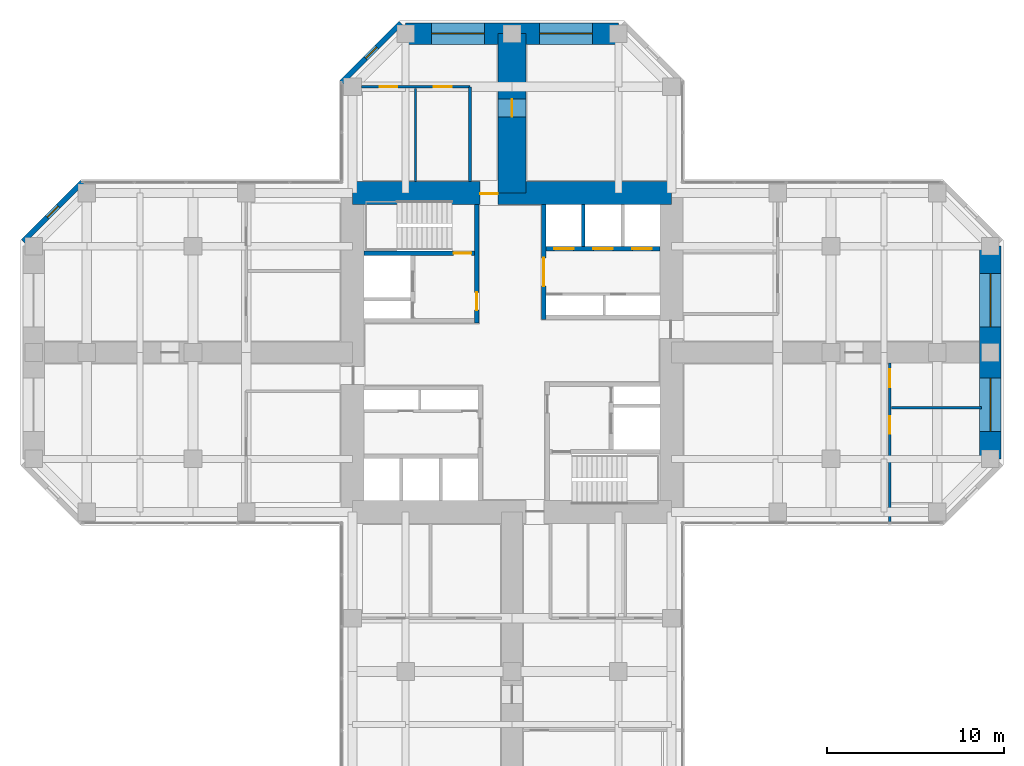
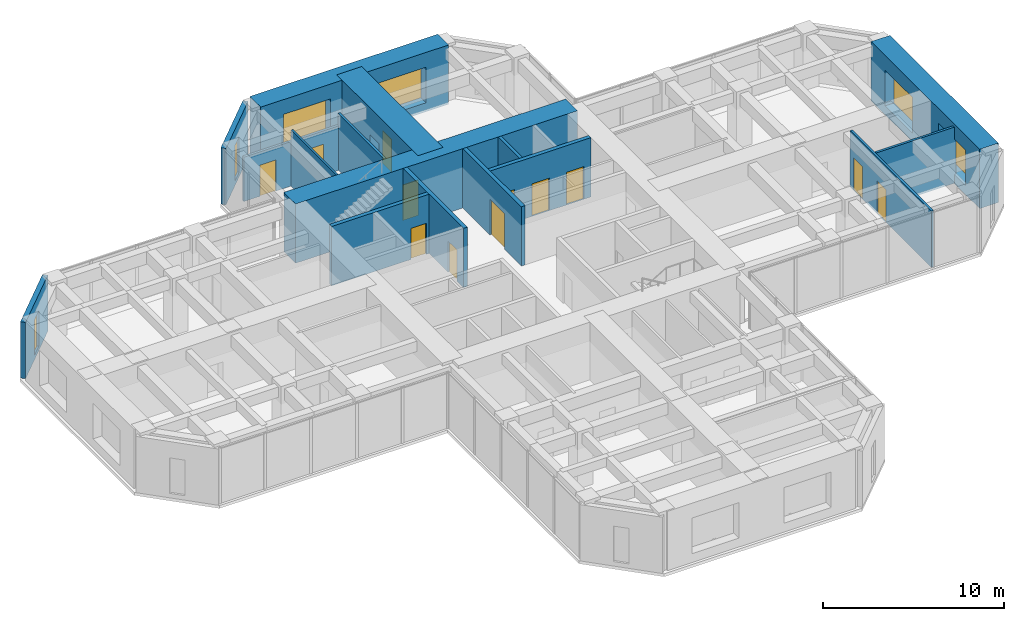
# One storey, part 10 of 12: 16 walls, 12 doors, 6 windows, 18 openings.
"""IFC4 building model written with IfcOpenShell, lengths in metres."""

from ifc_helpers import new_model, si_unit, direction, frame, frame_2d, origin, place, context, subcontext, project, spatial, rectangle, hollow_rectangle, extrude, material, layer, layer_set, constituent, constituent_set, type_object, element, fill, save


model = new_model("IFC4")

# Units and contexts
model_context = context("Model", 3, precision=1e-05, world=origin(), true_north=direction((0.0, 1.0)))
body_context = subcontext(model_context, "Body", "Model", "MODEL_VIEW")
ifc_project = project(units=[si_unit("LENGTHUNIT", "METRE"), si_unit("AREAUNIT", "SQUARE_METRE"), si_unit("VOLUMEUNIT", "CUBIC_METRE"), si_unit("PLANEANGLEUNIT", "RADIAN"), si_unit("MASSUNIT", "GRAM", prefix="KILO")], contexts=[model_context])

# Site, building, storey
site_placement = place(None, origin())
site = spatial("IfcSite", under=ifc_project, at=site_placement, CompositionType="ELEMENT")
building_placement = place(site_placement, origin())
building = spatial("IfcBuilding", under=site, at=building_placement, Name="Torre Cruceta", CompositionType="ELEMENT")
storey_placement = place(building_placement, frame((0.0, 0.0, 116.5)))
storey = spatial("IfcBuildingStorey", under=building, at=storey_placement, Name="L28", CompositionType="ELEMENT", Elevation=116.5)

# Wall, opening, door
ifc_material_1 = material(Name="Concrete G60 (fck 60 MPa)", Category="concrete")
ifc_layer_1 = layer(ifc_material_1, 0.25)
ifc_layer_set_1 = layer_set([ifc_layer_1], Name="Concrete G60 (fck 60 MPa)")
wall_type_1 = type_object("IfcWallType", Name="CORE INNER WALL 250 G60", PredefinedType="SHEAR", material=ifc_layer_set_1)
wall_1_placement = place(storey_placement, frame((1.800048828125, 1.875, 0.0), z_axis=(0.0, 0.0, 1.0), x_axis=(0.0, 1.0, 0.0)))
wall_1 = element("IfcWall", 1, at=wall_1_placement, inside=storey, type_object=wall_type_1, Name="CW4 L28 NE-CU", PredefinedType="SHEAR", context=body_context, shape_type="SweptSolid", body=[
    extrude(rectangle(XDim=6.47509765625, YDim=0.25, at=frame_2d((3.237548828125, 0.0))), origin(), (0.0, 0.0, 1.0), 4.0),
])
opening_1_placement = place(wall_1_placement, frame((1.875, 0.0, 0.0)))
opening_1 = element("IfcOpeningElement", 2, at=opening_1_placement, cuts=wall_1, Name="Opening D8", PredefinedType="OPENING", context=body_context, shape_type="SweptSolid", body=[
    extrude(rectangle(XDim=1.60009765625, YDim=2.39990234375, at=frame_2d((0.800048828125, 1.199951171875))), frame((0.0, 0.135009765625, 0.0), z_axis=(0.0, -1.0, 0.0), x_axis=(1.0, 0.0, 0.0)), (0.0, 0.0, 1.0), 0.27001953125),
])
ifc_material_2 = material(Name="Steel DX51D", Category="steel")
ifc_constituent_1 = constituent(ifc_material_2, Name="Leaf and frame")
ifc_material_3 = material(Name="Polyester powder coating", Category="paint")
ifc_constituent_2 = constituent(ifc_material_3, Name="Finish")
ifc_material_4 = material(Name="Fire-resisting glass", Category="glass")
ifc_constituent_3 = constituent(ifc_material_4, Name="Vision panel")
ifc_constituent_set_1 = constituent_set(constituents=[ifc_constituent_1, ifc_constituent_2, ifc_constituent_3], Name="Steel fire door with vision panels")
door_type_1 = type_object("IfcDoorType", Name="LIFT LOBBY DOUBLE DOOR 1600X2400", OperationType="DOUBLE_DOOR_DOUBLE_SWING", PredefinedType="DOOR", material=ifc_constituent_set_1)
door_1_placement = place(opening_1_placement, origin())
door_1 = element("IfcDoor", 3, at=door_1_placement, inside=storey, type_object=door_type_1, Name="D8 L28 NE-LOBBY", OperationType="DOUBLE_DOOR_DOUBLE_SWING", OverallHeight=2.39990234375, OverallWidth=1.60009765625, PredefinedType="DOOR", context=body_context, shape_type="SweptSolid", body=[
    extrude(rectangle(XDim=1.60009765625, YDim=2.39990234375, at=frame_2d((0.800048828125, 1.199951171875))), frame((0.0, 0.02490234375, 0.0), z_axis=(0.0, -1.0, 0.0), x_axis=(1.0, 0.0, 0.0)), (0.0, 0.0, 1.0), 0.050048828125),
])
fill(opening_1, door_1)

# Wall, openings, doors
wall_2_placement = place(storey_placement, frame((1.925048828125, 5.85009765625, 0.0), z_axis=(0.0, 0.0, 1.0), x_axis=(1.0, 0.0, 0.0)))
wall_2 = element("IfcWall", 4, at=wall_2_placement, inside=storey, type_object=wall_type_1, Name="CW4 L28 NE-LV", PredefinedType="SHEAR", context=body_context, shape_type="SweptSolid", body=[
    extrude(rectangle(XDim=6.425048828125, YDim=0.25, at=frame_2d((3.21240234375, 0.0))), origin(), (0.0, 0.0, 1.0), 4.0),
])
opening_2_placement = place(wall_2_placement, frame((0.4541015625, 0.0, 0.0)))
opening_2 = element("IfcOpeningElement", 5, at=opening_2_placement, cuts=wall_2, Name="Opening LD1", PredefinedType="OPENING", context=body_context, shape_type="SweptSolid", body=[
    extrude(rectangle(XDim=1.10009765625, YDim=2.199951171875, at=frame_2d((0.550048828125, 1.10009765625))), frame((0.0, 0.135009765625, 0.0), z_axis=(0.0, -1.0, 0.0), x_axis=(1.0, 0.0, 0.0)), (0.0, 0.0, 1.0), 0.27001953125),
])
opening_3_placement = place(wall_2_placement, frame((2.66259765625, 0.0, 0.0)))
opening_3 = element("IfcOpeningElement", 6, at=opening_3_placement, cuts=wall_2, Name="Opening LD1", PredefinedType="OPENING", context=body_context, shape_type="SweptSolid", body=[
    extrude(rectangle(XDim=1.10009765625, YDim=2.199951171875, at=frame_2d((0.550048828125, 1.10009765625))), frame((0.0, 0.135009765625, 0.0), z_axis=(0.0, -1.0, 0.0), x_axis=(1.0, 0.0, 0.0)), (0.0, 0.0, 1.0), 0.27001953125),
])
opening_4_placement = place(wall_2_placement, frame((4.870849609375, 0.0, 0.0)))
opening_4 = element("IfcOpeningElement", 7, at=opening_4_placement, cuts=wall_2, Name="Opening LD1", PredefinedType="OPENING", context=body_context, shape_type="SweptSolid", body=[
    extrude(rectangle(XDim=1.10009765625, YDim=2.199951171875, at=frame_2d((0.550048828125, 1.10009765625))), frame((0.0, 0.135009765625, 0.0), z_axis=(0.0, -1.0, 0.0), x_axis=(1.0, 0.0, 0.0)), (0.0, 0.0, 1.0), 0.27001953125),
])
ifc_material_5 = material(Name="Stainless steel 1.4401", Category="steel")
door_type_2 = type_object("IfcDoorType", Name="LIFT LANDING DOOR 1100X2200", OperationType="DOUBLE_DOOR_SLIDING", PredefinedType="DOOR", material=ifc_material_5)
door_2_placement = place(opening_2_placement, origin())
door_2 = element("IfcDoor", 8, at=door_2_placement, inside=storey, type_object=door_type_2, Name="Lift landing door P1", OperationType="DOUBLE_DOOR_SLIDING", OverallHeight=2.199951171875, OverallWidth=1.10009765625, PredefinedType="DOOR", context=body_context, shape_type="SweptSolid", body=[
    extrude(rectangle(XDim=1.10009765625, YDim=2.199951171875, at=frame_2d((0.550048828125, 1.10009765625))), frame((0.0, 0.02490234375, 0.0), z_axis=(0.0, -1.0, 0.0), x_axis=(1.0, 0.0, 0.0)), (0.0, 0.0, 1.0), 0.050048828125),
])
fill(opening_2, door_2)
door_3_placement = place(opening_3_placement, origin())
door_3 = element("IfcDoor", 9, at=door_3_placement, inside=storey, type_object=door_type_2, Name="Lift landing door P2", OperationType="DOUBLE_DOOR_SLIDING", OverallHeight=2.199951171875, OverallWidth=1.10009765625, PredefinedType="DOOR", context=body_context, shape_type="SweptSolid", body=[
    extrude(rectangle(XDim=1.10009765625, YDim=2.199951171875, at=frame_2d((0.550048828125, 1.10009765625))), frame((0.0, 0.02490234375, 0.0), z_axis=(0.0, -1.0, 0.0), x_axis=(1.0, 0.0, 0.0)), (0.0, 0.0, 1.0), 0.050048828125),
])
fill(opening_3, door_3)
door_4_placement = place(opening_4_placement, origin())
door_4 = element("IfcDoor", 10, at=door_4_placement, inside=storey, type_object=door_type_2, Name="Lift landing door P3", OperationType="DOUBLE_DOOR_SLIDING", OverallHeight=2.199951171875, OverallWidth=1.10009765625, PredefinedType="DOOR", context=body_context, shape_type="SweptSolid", body=[
    extrude(rectangle(XDim=1.10009765625, YDim=2.199951171875, at=frame_2d((0.550048828125, 1.10009765625))), frame((0.0, 0.02490234375, 0.0), z_axis=(0.0, -1.0, 0.0), x_axis=(1.0, 0.0, 0.0)), (0.0, 0.0, 1.0), 0.050048828125),
])
fill(opening_4, door_4)

# Wall, opening, door
wall_3_placement = place(storey_placement, frame((-2.0, 1.675048828125, 0.0), z_axis=(0.0, 0.0, 1.0), x_axis=(0.0, 1.0, 0.0)))
wall_3 = element("IfcWall", 11, at=wall_3_placement, inside=storey, type_object=wall_type_1, Name="CW4 L28 NW-CU", PredefinedType="SHEAR", context=body_context, shape_type="SweptSolid", body=[
    extrude(rectangle(XDim=6.675048828125, YDim=0.25, at=frame_2d((3.33740234375, 0.0))), origin(), (0.0, 0.0, 1.0), 4.0),
])
opening_5_placement = place(wall_3_placement, frame((0.72509765625, 0.0, 0.0)))
opening_5 = element("IfcOpeningElement", 12, at=opening_5_placement, cuts=wall_3, Name="Opening D3", PredefinedType="OPENING", context=body_context, shape_type="SweptSolid", body=[
    extrude(rectangle(XDim=1.0, YDim=2.10009765625, at=frame_2d((0.5, 1.050048828125))), frame((0.0, 0.135009765625, 0.0), z_axis=(0.0, -1.0, 0.0), x_axis=(1.0, 0.0, 0.0)), (0.0, 0.0, 1.0), 0.27001953125),
])
ifc_material_6 = material(Name="Steel DX51D", Category="steel")
ifc_constituent_4 = constituent(ifc_material_6, Name="Leaf and frame")
ifc_material_7 = material(Name="Polyester powder coating", Category="paint")
ifc_constituent_5 = constituent(ifc_material_7, Name="Finish")
ifc_constituent_set_2 = constituent_set(constituents=[ifc_constituent_4, ifc_constituent_5], Name="Steel fire door")
door_type_3 = type_object("IfcDoorType", Name="FIRE DOOR 1000X2100", OperationType="SINGLE_SWING_LEFT", PredefinedType="DOOR", material=ifc_constituent_set_2)
door_5_placement = place(opening_5_placement, origin())
door_5 = element("IfcDoor", 13, at=door_5_placement, inside=storey, type_object=door_type_3, Name="D3 L28 NW-LOBBY", OperationType="SINGLE_SWING_LEFT", OverallHeight=2.10009765625, OverallWidth=1.0, PredefinedType="DOOR", context=body_context, shape_type="SweptSolid", body=[
    extrude(rectangle(XDim=1.0, YDim=2.10009765625, at=frame_2d((0.5, 1.050048828125))), frame((0.0, 0.02490234375, 0.0), z_axis=(0.0, -1.0, 0.0), x_axis=(1.0, 0.0, 0.0)), (0.0, 0.0, 1.0), 0.050048828125),
])
fill(opening_5, door_5)

wall_4_placement = place(storey_placement, frame((-2.125, 5.60009765625, 0.0), z_axis=(0.0, 0.0, 1.0), x_axis=(-1.0, 0.0, 0.0)))
wall_4 = element("IfcWall", 14, at=wall_4_placement, inside=storey, type_object=wall_type_1, Name="CW4 L28 NW-SV", PredefinedType="SHEAR", context=body_context, shape_type="SweptSolid", body=[
    extrude(rectangle(XDim=6.22509765625, YDim=0.25, at=frame_2d((3.112548828125, 0.0))), origin(), (0.0, 0.0, 1.0), 4.0),
])
opening_6_placement = place(wall_4_placement, frame((0.175048828125, 0.0, 0.0)))
opening_6 = element("IfcOpeningElement", 15, at=opening_6_placement, cuts=wall_4, Name="Opening D3", PredefinedType="OPENING", context=body_context, shape_type="SweptSolid", body=[
    extrude(rectangle(XDim=1.0, YDim=2.10009765625, at=frame_2d((0.5, 1.050048828125))), frame((0.0, 0.135009765625, 0.0), z_axis=(0.0, -1.0, 0.0), x_axis=(1.0, 0.0, 0.0)), (0.0, 0.0, 1.0), 0.27001953125),
])
door_6_placement = place(opening_6_placement, frame((1.0, 0.0, 0.0), z_axis=(0.0, 0.0, 1.0), x_axis=(-1.0, 0.0, 0.0)))
door_6 = element("IfcDoor", 16, at=door_6_placement, inside=storey, type_object=door_type_3, Name="D3 L28 NW-STAIR", OperationType="SINGLE_SWING_RIGHT", OverallHeight=2.10009765625, OverallWidth=1.0, PredefinedType="DOOR", context=body_context, shape_type="SweptSolid", body=[
    extrude(rectangle(XDim=1.0, YDim=2.10009765625, at=frame_2d((0.5, 1.050048828125))), frame((0.0, 0.025146484375, 0.0), z_axis=(0.0, -1.0, 0.0), x_axis=(1.0, 0.0, 0.0)), (0.0, 0.0, 1.0), 0.050048828125),
])
fill(opening_6, door_6)

ifc_material_8 = material(Name="Concrete G60 (fck 60 MPa)", Category="concrete")
ifc_layer_2 = layer(ifc_material_8, 1.300048828125)
ifc_layer_set_2 = layer_set([ifc_layer_2], Name="Concrete G60 (fck 60 MPa)")
wall_type_2 = type_object("IfcWallType", Name="CORE WALL 1300 G60", PredefinedType="SHEAR", material=ifc_layer_set_2)
wall_5_placement = place(storey_placement, frame((9.0, 9.0, 0.0), z_axis=(0.0, 0.0, 1.0), x_axis=(-1.0, 0.0, 0.0)))
wall_5 = element("IfcWall", 17, at=wall_5_placement, inside=storey, type_object=wall_type_2, Name="CW1 L28 CW-N", PredefinedType="SHEAR", context=body_context, shape_type="SweptSolid", body=[
    extrude(rectangle(XDim=18.0, YDim=1.300048828125, at=frame_2d((9.0, 0.0))), origin(), (0.0, 0.0, 1.0), 4.0),
])
opening_7_placement = place(wall_5_placement, frame((9.800048828125, 0.0, 0.0)))
opening_7 = element("IfcOpeningElement", 18, at=opening_7_placement, cuts=wall_5, Name="Opening D4", PredefinedType="OPENING", context=body_context, shape_type="SweptSolid", body=[
    extrude(rectangle(XDim=1.0, YDim=2.39990234375, at=frame_2d((0.5, 1.199951171875))), frame((0.0, 0.659912109375, 0.0), z_axis=(0.0, -1.0, 0.0), x_axis=(1.0, 0.0, 0.0)), (0.0, 0.0, 1.0), 1.320068359375),
])
ifc_material_9 = material(Name="Steel DX51D", Category="steel")
ifc_constituent_6 = constituent(ifc_material_9, Name="Leaf and frame")
ifc_material_10 = material(Name="Polyester powder coating", Category="paint")
ifc_constituent_7 = constituent(ifc_material_10, Name="Finish")
ifc_constituent_set_3 = constituent_set(constituents=[ifc_constituent_6, ifc_constituent_7], Name="Steel fire door")
door_type_4 = type_object("IfcDoorType", Name="CORE ARM DOOR 1000X2400", OperationType="SINGLE_SWING_RIGHT", PredefinedType="DOOR", material=ifc_constituent_set_3)
door_7_placement = place(opening_7_placement, frame((1.0, 0.0, 0.0), z_axis=(0.0, 0.0, 1.0), x_axis=(-1.0, 0.0, 0.0)))
door_7 = element("IfcDoor", 19, at=door_7_placement, inside=storey, type_object=door_type_4, Name="D4 L28 CW-N", OperationType="SINGLE_SWING_RIGHT", OverallHeight=2.39990234375, OverallWidth=1.0, PredefinedType="DOOR", context=body_context, shape_type="SweptSolid", body=[
    extrude(rectangle(XDim=1.0, YDim=2.39990234375, at=frame_2d((0.5, 1.199951171875))), frame((0.0, -0.005126953125, 0.0), z_axis=(0.0, -1.0, 0.0), x_axis=(1.0, 0.0, 0.0)), (0.0, 0.0, 1.0), 0.050048828125),
])
fill(opening_7, door_7)

# Wall, opening, window
ifc_material_11 = material(Name="Concrete G30 (fck 30 MPa)", Category="concrete")
ifc_layer_3 = layer(ifc_material_11, 0.300048828125)
ifc_layer_set_3 = layer_set([ifc_layer_3], Name="Concrete G30 (fck 30 MPa)")
wall_type_3 = type_object("IfcWallType", Name="EXPOSED CONCRETE FACADE WALL 300", PredefinedType="SOLIDWALL", material=ifc_layer_set_3)
wall_6_placement = place(storey_placement, frame((-6.27685546875, 18.60009765625, 0.0), z_axis=(0.0, 0.0, 1.0), x_axis=(-0.707106781187, -0.707106781187, 0.0)))
wall_6 = element("IfcWall", 20, at=wall_6_placement, inside=storey, type_object=wall_type_3, Name="EW1 facade wall L28 N chamfer 08", PredefinedType="SOLIDWALL", context=body_context, shape_type="SweptSolid", body=[
    extrude(rectangle(XDim=4.72802734375, YDim=0.300048828125, at=frame_2d((2.364013671875, 0.0))), origin(), (0.0, 0.0, 1.0), 3.800048828125),
])
opening_8_placement = place(wall_6_placement, frame((1.9140625, 0.0, 0.300048828125)))
opening_8 = element("IfcOpeningElement", 21, at=opening_8_placement, cuts=wall_6, Name="Opening WN5", PredefinedType="OPENING", context=body_context, shape_type="SweptSolid", body=[
    extrude(rectangle(XDim=0.89990234375, YDim=2.39990234375, at=frame_2d((0.449951171875, 1.199951171875))), frame((0.0, 0.159912109375, 0.0), z_axis=(0.0, -1.0, 0.0), x_axis=(1.0, 0.0, 0.0)), (0.0, 0.0, 1.0), 0.320068359375),
])
ifc_material_12 = material(Name="Aluminium window frame", Category="aluminium")
ifc_constituent_8 = constituent(ifc_material_12, Name="Frame")
ifc_material_13 = material(Name="Laminated insulating glass unit, low-iron clear", Category="glass")
ifc_constituent_9 = constituent(ifc_material_13, Name="Glazing")
ifc_constituent_set_4 = constituent_set(constituents=[ifc_constituent_8, ifc_constituent_9], Name="Aluminium window")
window_type_1 = type_object("IfcWindowType", Name="CHAMFER SLOT WINDOW 900X2400", PartitioningType="SINGLE_PANEL", PredefinedType="WINDOW", material=ifc_constituent_set_4)
window_1_placement = place(opening_8_placement, origin())
window_1 = element("IfcWindow", 22, at=window_1_placement, inside=storey, type_object=window_type_1, Name="WN5 L28 N 1", OverallHeight=2.39990234375, OverallWidth=0.89990234375, PartitioningType="SINGLE_PANEL", PredefinedType="WINDOW", context=body_context, shape_type="SweptSolid", body=[
    extrude(hollow_rectangle(XDim=0.89990234375, YDim=2.39990234375, WallThickness=0.06005859375, at=frame_2d((0.449951171875, 1.199951171875))), frame((0.0, 0.030029296875, 0.0), z_axis=(0.0, -1.0, 0.0), x_axis=(1.0, 0.0, 0.0)), (0.0, 0.0, 1.0), 0.06005859375),
    extrude(rectangle(XDim=0.77880859375, YDim=2.27880859375, at=frame_2d((0.449951171875, 1.199951171875))), frame((0.0, 0.030029296875, 0.0), z_axis=(0.0, -1.0, 0.0), x_axis=(1.0, 0.0, 0.0)), (0.0, 0.0, 1.0), 0.06005859375),
])
fill(opening_8, window_1)

wall_7_placement = place(storey_placement, frame((-24.2568359375, 9.6201171875, 0.0), z_axis=(0.0, 0.0, 1.0), x_axis=(-0.707106781187, -0.707106781187, 0.0)))
wall_7 = element("IfcWall", 23, at=wall_7_placement, inside=storey, type_object=wall_type_3, Name="EW1 facade wall L28 W chamfer 11", PredefinedType="SOLIDWALL", context=body_context, shape_type="SweptSolid", body=[
    extrude(rectangle(XDim=4.72802734375, YDim=0.300048828125, at=frame_2d((2.364013671875, 0.0))), origin(), (0.0, 0.0, 1.0), 3.800048828125),
])
opening_9_placement = place(wall_7_placement, frame((1.9140625, 0.0, 0.300048828125)))
opening_9 = element("IfcOpeningElement", 24, at=opening_9_placement, cuts=wall_7, Name="Opening WN5", PredefinedType="OPENING", context=body_context, shape_type="SweptSolid", body=[
    extrude(rectangle(XDim=0.89990234375, YDim=2.39990234375, at=frame_2d((0.449951171875, 1.199951171875))), frame((0.0, 0.159912109375, 0.0), z_axis=(0.0, -1.0, 0.0), x_axis=(1.0, 0.0, 0.0)), (0.0, 0.0, 1.0), 0.320068359375),
])
window_2_placement = place(opening_9_placement, origin())
window_2 = element("IfcWindow", 25, at=window_2_placement, inside=storey, type_object=window_type_1, Name="WN5 L28 W 1", OverallHeight=2.39990234375, OverallWidth=0.89990234375, PartitioningType="SINGLE_PANEL", PredefinedType="WINDOW", context=body_context, shape_type="SweptSolid", body=[
    extrude(hollow_rectangle(XDim=0.89990234375, YDim=2.39990234375, WallThickness=0.06005859375, at=frame_2d((0.449951171875, 1.199951171875))), frame((0.0, 0.030029296875, 0.0), z_axis=(0.0, -1.0, 0.0), x_axis=(1.0, 0.0, 0.0)), (0.0, 0.0, 1.0), 0.06005859375),
    extrude(rectangle(XDim=0.77880859375, YDim=2.27880859375, at=frame_2d((0.449951171875, 1.199951171875))), frame((0.0, 0.030029296875, 0.0), z_axis=(0.0, -1.0, 0.0), x_axis=(1.0, 0.0, 0.0)), (0.0, 0.0, 1.0), 0.06005859375),
])
fill(opening_9, window_2)

# Wall
ifc_material_14 = material(Name="Concrete G35 (fck 35 MPa)", Category="concrete")
ifc_layer_4 = layer(ifc_material_14, 0.199951171875)
ifc_layer_set_4 = layer_set([ifc_layer_4], Name="Concrete G35 (fck 35 MPa)")
wall_type_4 = type_object("IfcWallType", Name="LIFT SHAFT WALL 200", PredefinedType="PARTITIONING", material=ifc_layer_set_4)
wall_8_placement = place(storey_placement, frame((4.033447265625, 5.97509765625, 0.0), z_axis=(0.0, 0.0, 1.0), x_axis=(0.0, 1.0, 0.0)))
element("IfcWall", 26, at=wall_8_placement, inside=storey, type_object=wall_type_4, Name="SW1 L28 NE-LS1", PredefinedType="PARTITIONING", context=body_context, shape_type="SweptSolid", body=[
    extrude(rectangle(XDim=2.375, YDim=0.199951171875, at=frame_2d((1.1875, 0.0))), origin(), (0.0, 0.0, 1.0), 4.0),
])

# Wall, openings, windows
ifc_material_15 = material(Name="Concrete G60 (fck 60 MPa)", Category="concrete")
ifc_layer_5 = layer(ifc_material_15, 1.199951171875)
ifc_layer_set_5 = layer_set([ifc_layer_5], Name="Concrete G60 (fck 60 MPa)")
wall_type_5 = type_object("IfcWallType", Name="NOSE WALL 1200 G60", PredefinedType="SHEAR", material=ifc_layer_set_5)
wall_9_placement = place(storey_placement, frame((6.0, 18.0, 0.0), z_axis=(0.0, 0.0, 1.0), x_axis=(-1.0, 0.0, 0.0)))
wall_9 = element("IfcWall", 27, at=wall_9_placement, inside=storey, type_object=wall_type_5, Name="NW1 nose wall L28 N", PredefinedType="SHEAR", context=body_context, shape_type="SweptSolid", body=[
    extrude(rectangle(XDim=12.0, YDim=1.199951171875, at=frame_2d((6.0, 0.0))), origin(), (0.0, 0.0, 1.0), 4.0),
])
opening_10_placement = place(wall_9_placement, frame((1.449951171875, 0.0, 0.60009765625)))
opening_10 = element("IfcOpeningElement", 28, at=opening_10_placement, cuts=wall_9, Name="Opening WN6", PredefinedType="OPENING", context=body_context, shape_type="SweptSolid", body=[
    extrude(rectangle(XDim=3.0, YDim=2.39990234375, at=frame_2d((1.5, 1.199951171875))), frame((0.0, 0.60986328125, 0.0), z_axis=(0.0, -1.0, 0.0), x_axis=(1.0, 0.0, 0.0)), (0.0, 0.0, 1.0), 1.219970703125),
])
opening_11_placement = place(wall_9_placement, frame((7.550048828125, 0.0, 0.60009765625)))
opening_11 = element("IfcOpeningElement", 29, at=opening_11_placement, cuts=wall_9, Name="Opening WN6", PredefinedType="OPENING", context=body_context, shape_type="SweptSolid", body=[
    extrude(rectangle(XDim=3.0, YDim=2.39990234375, at=frame_2d((1.5, 1.199951171875))), frame((0.0, 0.60986328125, 0.0), z_axis=(0.0, -1.0, 0.0), x_axis=(1.0, 0.0, 0.0)), (0.0, 0.0, 1.0), 1.219970703125),
])
ifc_material_16 = material(Name="Aluminium window frame", Category="aluminium")
ifc_constituent_10 = constituent(ifc_material_16, Name="Frame")
ifc_material_17 = material(Name="Laminated insulating glass unit, low-iron clear", Category="glass")
ifc_constituent_11 = constituent(ifc_material_17, Name="Glazing")
ifc_constituent_set_5 = constituent_set(constituents=[ifc_constituent_10, ifc_constituent_11], Name="Aluminium window")
window_type_2 = type_object("IfcWindowType", Name="NOSE WALL WINDOW 3000X2400", PartitioningType="SINGLE_PANEL", PredefinedType="WINDOW", material=ifc_constituent_set_5)
window_3_placement = place(opening_10_placement, origin())
window_3 = element("IfcWindow", 30, at=window_3_placement, inside=storey, type_object=window_type_2, Name="WN6 L28 N 1", OverallHeight=2.39990234375, OverallWidth=3.0, PartitioningType="SINGLE_PANEL", PredefinedType="WINDOW", context=body_context, shape_type="SweptSolid", body=[
    extrude(hollow_rectangle(XDim=3.0, YDim=2.39990234375, WallThickness=0.06005859375, at=frame_2d((1.5, 1.199951171875))), frame((0.0, 0.030029296875, 0.0), z_axis=(0.0, -1.0, 0.0), x_axis=(1.0, 0.0, 0.0)), (0.0, 0.0, 1.0), 0.06005859375),
    extrude(rectangle(XDim=2.87890625, YDim=2.27880859375, at=frame_2d((1.5, 1.199951171875))), frame((0.0, 0.030029296875, 0.0), z_axis=(0.0, -1.0, 0.0), x_axis=(1.0, 0.0, 0.0)), (0.0, 0.0, 1.0), 0.06005859375),
])
fill(opening_10, window_3)
window_4_placement = place(opening_11_placement, origin())
window_4 = element("IfcWindow", 31, at=window_4_placement, inside=storey, type_object=window_type_2, Name="WN6 L28 N 2", OverallHeight=2.39990234375, OverallWidth=3.0, PartitioningType="SINGLE_PANEL", PredefinedType="WINDOW", context=body_context, shape_type="SweptSolid", body=[
    extrude(hollow_rectangle(XDim=3.0, YDim=2.39990234375, WallThickness=0.06005859375, at=frame_2d((1.5, 1.199951171875))), frame((0.0, 0.030029296875, 0.0), z_axis=(0.0, -1.0, 0.0), x_axis=(1.0, 0.0, 0.0)), (0.0, 0.0, 1.0), 0.06005859375),
    extrude(rectangle(XDim=2.87890625, YDim=2.27880859375, at=frame_2d((1.5, 1.199951171875))), frame((0.0, 0.030029296875, 0.0), z_axis=(0.0, -1.0, 0.0), x_axis=(1.0, 0.0, 0.0)), (0.0, 0.0, 1.0), 0.06005859375),
])
fill(opening_11, window_4)

wall_10_placement = place(storey_placement, frame((27.0, -6.0, 0.0), z_axis=(0.0, 0.0, 1.0), x_axis=(0.0, 1.0, 0.0)))
wall_10 = element("IfcWall", 32, at=wall_10_placement, inside=storey, type_object=wall_type_5, Name="NW1 nose wall L28 E", PredefinedType="SHEAR", context=body_context, shape_type="SweptSolid", body=[
    extrude(rectangle(XDim=12.0, YDim=1.199951171875, at=frame_2d((6.0, 0.0))), origin(), (0.0, 0.0, 1.0), 4.0),
])
opening_12_placement = place(wall_10_placement, frame((1.550048828125, 0.0, 0.60009765625)))
opening_12 = element("IfcOpeningElement", 33, at=opening_12_placement, cuts=wall_10, Name="Opening WN6", PredefinedType="OPENING", context=body_context, shape_type="SweptSolid", body=[
    extrude(rectangle(XDim=3.0, YDim=2.39990234375, at=frame_2d((1.5, 1.199951171875))), frame((0.0, 0.60986328125, 0.0), z_axis=(0.0, -1.0, 0.0), x_axis=(1.0, 0.0, 0.0)), (0.0, 0.0, 1.0), 1.219970703125),
])
opening_13_placement = place(wall_10_placement, frame((7.449951171875, 0.0, 0.60009765625)))
opening_13 = element("IfcOpeningElement", 34, at=opening_13_placement, cuts=wall_10, Name="Opening WN6", PredefinedType="OPENING", context=body_context, shape_type="SweptSolid", body=[
    extrude(rectangle(XDim=3.0, YDim=2.39990234375, at=frame_2d((1.5, 1.199951171875))), frame((0.0, 0.60986328125, 0.0), z_axis=(0.0, -1.0, 0.0), x_axis=(1.0, 0.0, 0.0)), (0.0, 0.0, 1.0), 1.219970703125),
])
window_5_placement = place(opening_12_placement, origin())
window_5 = element("IfcWindow", 35, at=window_5_placement, inside=storey, type_object=window_type_2, Name="WN6 L28 E 1", OverallHeight=2.39990234375, OverallWidth=3.0, PartitioningType="SINGLE_PANEL", PredefinedType="WINDOW", context=body_context, shape_type="SweptSolid", body=[
    extrude(hollow_rectangle(XDim=3.0, YDim=2.39990234375, WallThickness=0.06005859375, at=frame_2d((1.5, 1.199951171875))), frame((0.0, 0.030029296875, 0.0), z_axis=(0.0, -1.0, 0.0), x_axis=(1.0, 0.0, 0.0)), (0.0, 0.0, 1.0), 0.06005859375),
    extrude(rectangle(XDim=2.87890625, YDim=2.27880859375, at=frame_2d((1.5, 1.199951171875))), frame((0.0, 0.030029296875, 0.0), z_axis=(0.0, -1.0, 0.0), x_axis=(1.0, 0.0, 0.0)), (0.0, 0.0, 1.0), 0.06005859375),
])
fill(opening_12, window_5)
window_6_placement = place(opening_13_placement, origin())
window_6 = element("IfcWindow", 36, at=window_6_placement, inside=storey, type_object=window_type_2, Name="WN6 L28 E 2", OverallHeight=2.39990234375, OverallWidth=3.0, PartitioningType="SINGLE_PANEL", PredefinedType="WINDOW", context=body_context, shape_type="SweptSolid", body=[
    extrude(hollow_rectangle(XDim=3.0, YDim=2.39990234375, WallThickness=0.06005859375, at=frame_2d((1.5, 1.199951171875))), frame((0.0, 0.030029296875, 0.0), z_axis=(0.0, -1.0, 0.0), x_axis=(1.0, 0.0, 0.0)), (0.0, 0.0, 1.0), 0.06005859375),
    extrude(rectangle(XDim=2.87890625, YDim=2.27880859375, at=frame_2d((1.5, 1.199951171875))), frame((0.0, 0.030029296875, 0.0), z_axis=(0.0, -1.0, 0.0), x_axis=(1.0, 0.0, 0.0)), (0.0, 0.0, 1.0), 0.06005859375),
])
fill(opening_13, window_6)

# Wall, openings, doors
ifc_material_18 = material(Name="Plasterboard on steel studs", Category="steel")
ifc_layer_6 = layer(ifc_material_18, 0.14990234375)
ifc_layer_set_6 = layer_set([ifc_layer_6], Name="Plasterboard on steel studs")
wall_type_6 = type_object("IfcWallType", Name="PARTITION 150", PredefinedType="PARTITIONING", material=ifc_layer_set_6)
wall_11_placement = place(storey_placement, frame((-2.375, 15.0, 0.0), z_axis=(0.0, 0.0, 1.0), x_axis=(-1.0, 0.0, 0.0)))
wall_11 = element("IfcWall", 37, at=wall_11_placement, inside=storey, type_object=wall_type_6, Name="PT1 L28-N-BFL", PredefinedType="PARTITIONING", context=body_context, shape_type="SweptSolid", body=[
    extrude(rectangle(XDim=6.125, YDim=0.14990234375, at=frame_2d((3.0625, 0.0))), origin(), (0.0, 0.0, 1.0), 3.0),
])
opening_14_placement = place(wall_11_placement, frame((1.03125, 0.0, 0.0)))
opening_14 = element("IfcOpeningElement", 38, at=opening_14_placement, cuts=wall_11, Name="Opening D3", PredefinedType="OPENING", context=body_context, shape_type="SweptSolid", body=[
    extrude(rectangle(XDim=1.0, YDim=2.10009765625, at=frame_2d((0.5, 1.050048828125))), frame((0.0, 0.0849609375, 0.0), z_axis=(0.0, -1.0, 0.0), x_axis=(1.0, 0.0, 0.0)), (0.0, 0.0, 1.0), 0.169921875),
])
opening_15_placement = place(wall_11_placement, frame((4.09375, 0.0, 0.0)))
opening_15 = element("IfcOpeningElement", 39, at=opening_15_placement, cuts=wall_11, Name="Opening D3", PredefinedType="OPENING", context=body_context, shape_type="SweptSolid", body=[
    extrude(rectangle(XDim=1.0, YDim=2.10009765625, at=frame_2d((0.5, 1.050048828125))), frame((0.0, 0.0849609375, 0.0), z_axis=(0.0, -1.0, 0.0), x_axis=(1.0, 0.0, 0.0)), (0.0, 0.0, 1.0), 0.169921875),
])
door_8_placement = place(opening_14_placement, origin())
door_8 = element("IfcDoor", 40, at=door_8_placement, inside=storey, type_object=door_type_3, Name="D3 L28-N-BFL-D1", OperationType="SINGLE_SWING_LEFT", OverallHeight=2.10009765625, OverallWidth=1.0, PredefinedType="DOOR", context=body_context, shape_type="SweptSolid", body=[
    extrude(rectangle(XDim=1.0, YDim=2.10009765625, at=frame_2d((0.5, 1.050048828125))), frame((0.0, 0.02490234375, 0.0), z_axis=(0.0, -1.0, 0.0), x_axis=(1.0, 0.0, 0.0)), (0.0, 0.0, 1.0), 0.050048828125),
])
fill(opening_14, door_8)
door_9_placement = place(opening_15_placement, origin())
door_9 = element("IfcDoor", 41, at=door_9_placement, inside=storey, type_object=door_type_3, Name="D3 L28-N-BFL-D2", OperationType="SINGLE_SWING_LEFT", OverallHeight=2.10009765625, OverallWidth=1.0, PredefinedType="DOOR", context=body_context, shape_type="SweptSolid", body=[
    extrude(rectangle(XDim=1.0, YDim=2.10009765625, at=frame_2d((0.5, 1.050048828125))), frame((0.0, 0.02490234375, 0.0), z_axis=(0.0, -1.0, 0.0), x_axis=(1.0, 0.0, 0.0)), (0.0, 0.0, 1.0), 0.050048828125),
])
fill(opening_15, door_9)

# Walls
wall_12_placement = place(storey_placement, frame((-2.375, 9.64990234375, 0.0), z_axis=(0.0, 0.0, 1.0), x_axis=(0.0, 1.0, 0.0)))
element("IfcWall", 42, at=wall_12_placement, inside=storey, type_object=wall_type_6, Name="PT1 L28-N-BSL", PredefinedType="PARTITIONING", context=body_context, shape_type="SweptSolid", body=[
    extrude(rectangle(XDim=5.35009765625, YDim=0.14990234375, at=frame_2d((2.675048828125, 0.0))), origin(), (0.0, 0.0, 1.0), 3.800048828125),
])
wall_13_placement = place(storey_placement, frame((21.419921875, -3.117919921875, 0.0), z_axis=(0.0, 0.0, 1.0), x_axis=(1.0, 0.0, 0.0)))
element("IfcWall", 43, at=wall_13_placement, inside=storey, type_object=wall_type_6, Name="PT1 L28-E-TDR", PredefinedType="PARTITIONING", context=body_context, shape_type="SweptSolid", body=[
    extrude(rectangle(XDim=5.080078125, YDim=0.14990234375, at=frame_2d((2.5400390625, 0.0))), origin(), (0.0, 0.0, 1.0), 3.800048828125),
])

# Wall, openings, doors
wall_14_placement = place(storey_placement, frame((21.320068359375, -9.580078125, 0.0), z_axis=(0.0, 0.0, 1.0), x_axis=(0.0, 1.0, 0.0)))
wall_14 = element("IfcWall", 44, at=wall_14_placement, inside=storey, type_object=wall_type_6, Name="PT1 L28-E-TWR", PredefinedType="PARTITIONING", context=body_context, shape_type="SweptSolid", body=[
    extrude(rectangle(XDim=8.97998046875, YDim=0.14990234375, at=frame_2d((4.489990234375, 0.0))), origin(), (0.0, 0.0, 1.0), 3.800048828125),
])
opening_16_placement = place(wall_14_placement, frame((4.987060546875, 0.0, 0.0)))
opening_16 = element("IfcOpeningElement", 45, at=opening_16_placement, cuts=wall_14, Name="Opening D14", PredefinedType="OPENING", context=body_context, shape_type="SweptSolid", body=[
    extrude(rectangle(XDim=1.0, YDim=2.199951171875, at=frame_2d((0.5, 1.10009765625))), frame((0.0, 0.0849609375, 0.0), z_axis=(0.0, -1.0, 0.0), x_axis=(1.0, 0.0, 0.0)), (0.0, 0.0, 1.0), 0.169921875),
])
opening_17_placement = place(wall_14_placement, frame((7.6298828125, 0.0, 0.0)))
opening_17 = element("IfcOpeningElement", 46, at=opening_17_placement, cuts=wall_14, Name="Opening D14", PredefinedType="OPENING", context=body_context, shape_type="SweptSolid", body=[
    extrude(rectangle(XDim=1.0, YDim=2.199951171875, at=frame_2d((0.5, 1.10009765625))), frame((0.0, 0.0849609375, 0.0), z_axis=(0.0, -1.0, 0.0), x_axis=(1.0, 0.0, 0.0)), (0.0, 0.0, 1.0), 0.169921875),
])
ifc_material_19 = material(Name="Steel DX51D", Category="steel")
ifc_constituent_12 = constituent(ifc_material_19, Name="Leaf and frame")
ifc_material_20 = material(Name="Polyester powder coating", Category="paint")
ifc_constituent_13 = constituent(ifc_material_20, Name="Finish")
ifc_material_21 = material(Name="Fire-resisting glass", Category="glass")
ifc_constituent_14 = constituent(ifc_material_21, Name="Vision panel")
ifc_constituent_set_6 = constituent_set(constituents=[ifc_constituent_12, ifc_constituent_13, ifc_constituent_14], Name="Steel fire door with vision panel")
door_type_5 = type_object("IfcDoorType", Name="FIRE DOOR VISION PANEL 1000X2200", OperationType="SINGLE_SWING_RIGHT", PredefinedType="DOOR", material=ifc_constituent_set_6)
door_10_placement = place(opening_16_placement, frame((1.0, 0.0, 0.0), z_axis=(0.0, 0.0, 1.0), x_axis=(-1.0, 0.0, 0.0)))
door_10 = element("IfcDoor", 47, at=door_10_placement, inside=storey, type_object=door_type_5, Name="D14 L28-E-TWR-D1", OperationType="SINGLE_SWING_LEFT", OverallHeight=2.199951171875, OverallWidth=1.0, PredefinedType="DOOR", context=body_context, shape_type="SweptSolid", body=[
    extrude(rectangle(XDim=1.0, YDim=2.199951171875, at=frame_2d((0.5, 1.10009765625))), frame((0.0, 0.025146484375, 0.0), z_axis=(0.0, -1.0, 0.0), x_axis=(1.0, 0.0, 0.0)), (0.0, 0.0, 1.0), 0.050048828125),
])
fill(opening_16, door_10)
door_11_placement = place(opening_17_placement, frame((1.0, 0.0, 0.0), z_axis=(0.0, 0.0, 1.0), x_axis=(-1.0, 0.0, 0.0)))
door_11 = element("IfcDoor", 48, at=door_11_placement, inside=storey, type_object=door_type_5, Name="D14 L28-E-TWR-D2", OperationType="SINGLE_SWING_LEFT", OverallHeight=2.199951171875, OverallWidth=1.0, PredefinedType="DOOR", context=body_context, shape_type="SweptSolid", body=[
    extrude(rectangle(XDim=1.0, YDim=2.199951171875, at=frame_2d((0.5, 1.10009765625))), frame((0.0, 0.025146484375, 0.0), z_axis=(0.0, -1.0, 0.0), x_axis=(1.0, 0.0, 0.0)), (0.0, 0.0, 1.0), 0.050048828125),
])
fill(opening_17, door_11)

# Wall, opening, door
ifc_material_22 = material(Name="Concrete G60 (fck 60 MPa)", Category="concrete")
ifc_layer_7 = layer(ifc_material_22, 1.60009765625)
ifc_layer_set_7 = layer_set([ifc_layer_7], Name="Concrete G60 (fck 60 MPa)")
wall_type_7 = type_object("IfcWallType", Name="SPINE WALL 1600 G60", PredefinedType="SHEAR", material=ifc_layer_set_7)
wall_15_placement = place(storey_placement, frame((0.0, 9.0, 0.0), z_axis=(0.0, 0.0, 1.0), x_axis=(0.0, 1.0, 0.0)))
wall_15 = element("IfcWall", 49, at=wall_15_placement, inside=storey, type_object=wall_type_7, Name="SW2 spine wall L28 N", PredefinedType="SHEAR", context=body_context, shape_type="SweptSolid", body=[
    extrude(rectangle(XDim=9.0, YDim=1.60009765625, at=frame_2d((4.5, 0.0))), origin(), (0.0, 0.0, 1.0), 4.0),
])
opening_18_placement = place(wall_15_placement, frame((4.300048828125, 0.0, 0.0)))
opening_18 = element("IfcOpeningElement", 50, at=opening_18_placement, cuts=wall_15, Name="Opening D14", PredefinedType="OPENING", context=body_context, shape_type="SweptSolid", body=[
    extrude(rectangle(XDim=1.0, YDim=2.199951171875, at=frame_2d((0.5, 1.10009765625))), frame((0.0, 0.81005859375, 0.0), z_axis=(0.0, -1.0, 0.0), x_axis=(1.0, 0.0, 0.0)), (0.0, 0.0, 1.0), 1.6201171875),
])
door_12_placement = place(opening_18_placement, origin())
door_12 = element("IfcDoor", 51, at=door_12_placement, inside=storey, type_object=door_type_5, Name="D14 L28-N-SP1", OperationType="SINGLE_SWING_RIGHT", OverallHeight=2.199951171875, OverallWidth=1.0, PredefinedType="DOOR", context=body_context, shape_type="SweptSolid", body=[
    extrude(rectangle(XDim=1.0, YDim=2.199951171875, at=frame_2d((0.5, 1.10009765625))), frame((0.0, 0.02490234375, 0.0), z_axis=(0.0, -1.0, 0.0), x_axis=(1.0, 0.0, 0.0)), (0.0, 0.0, 1.0), 0.050048828125),
])
fill(opening_18, door_12)

# Wall
ifc_material_23 = material(Name="Plasterboard on steel studs", Category="steel")
ifc_layer_8 = layer(ifc_material_23, 0.1201171875)
ifc_layer_set_8 = layer_set([ifc_layer_8], Name="Plasterboard on steel studs")
wall_type_8 = type_object("IfcWallType", Name="WC PARTITION 120", PredefinedType="PLUMBINGWALL", material=ifc_layer_set_8)
wall_16_placement = place(storey_placement, frame((-5.4375, 9.64990234375, 0.0), z_axis=(0.0, 0.0, 1.0), x_axis=(0.0, 1.0, 0.0)))
element("IfcWall", 52, at=wall_16_placement, inside=storey, type_object=wall_type_8, Name="PT5 L28-N-BDL1", PredefinedType="PLUMBINGWALL", context=body_context, shape_type="SweptSolid", body=[
    extrude(rectangle(XDim=5.25, YDim=0.1201171875, at=frame_2d((2.625, 0.0))), origin(), (0.0, 0.0, 1.0), 3.800048828125),
])

save(model, "model.ifc")
